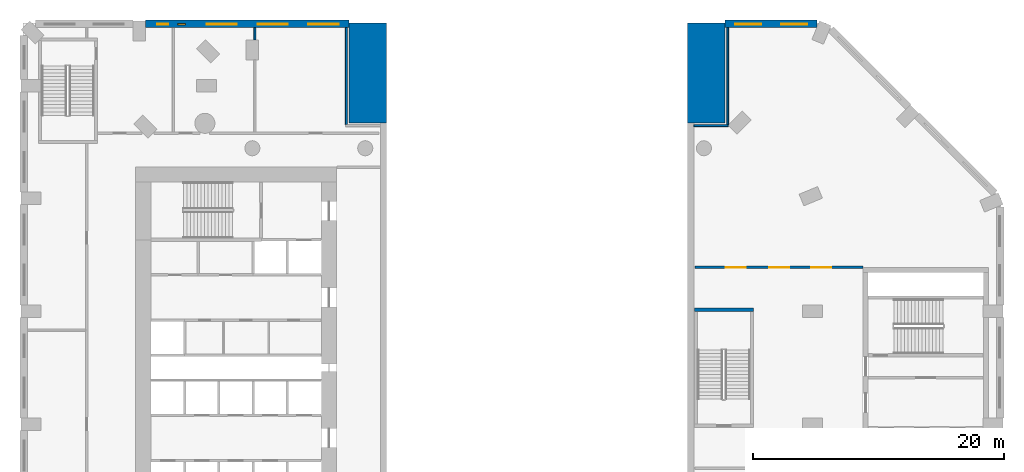
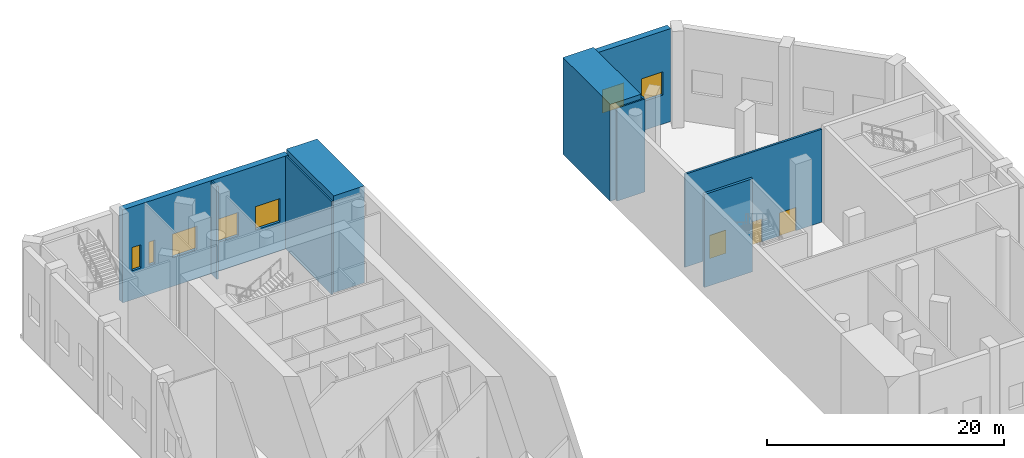
# One storey, part 7 of 17: 10 walls, 7 windows, 3 doors, 10 openings.
"""IFC4 building model written with IfcOpenShell, lengths in metres."""

import ifcopenshell
import ifcopenshell.guid

model = None  # the IFC model being written
_history = None  # IfcOwnerHistory: only IFC2X3 demands one
_inside = {}  # id of a spatial element -> (the spatial element, [elements in it])
_under = {}  # id of a project, library or spatial element -> (it, [spatial elements below it])
_declared = {}  # id of a project -> (the project, [libraries it declares])
_typed = {}  # id of a type object -> (the type object, [elements of that type])
_made_of = {}  # id of a material, layer set ... -> (it, [elements and type objects made of it])


def new_model(schema):
    """Start an empty IFC model of exactly this schema.

    Asked for "IFC4X3", IfcOpenShell would pick the latest addendum, in which some entities
    have other attributes; the version numbers below select the first issue.
    IFC2X3 requires an IfcOwnerHistory on every rooted entity: one is made here for all.
    """
    global model, _history
    if schema == "IFC4X3":
        model = ifcopenshell.file(schema_version=(4, 3, 0, 0))
    else:
        model = ifcopenshell.file(schema=schema)
    _inside.clear()
    _under.clear()
    _declared.clear()
    _typed.clear()
    _made_of.clear()
    _history = None
    if model.schema == "IFC2X3":
        org = make("IfcOrganization", Name="unknown")
        user = make(
            "IfcPersonAndOrganization",
            ThePerson=make("IfcPerson", FamilyName="unknown"),
            TheOrganization=org,
        )
        app = make(
            "IfcApplication",
            ApplicationDeveloper=org,
            Version="unknown",
            ApplicationFullName="unknown",
            ApplicationIdentifier="unknown",
        )
        _history = make(
            "IfcOwnerHistory",
            OwningUser=user,
            OwningApplication=app,
            ChangeAction="ADDED",
            CreationDate=0,
        )
    return model


def make(cls, **values):
    """One entity of the class cls with the attributes given. An attribute that is None is left unset."""
    return model.create_entity(
        cls, **{name: value for name, value in values.items() if value is not None}
    )


def rooted(cls, **values):
    """An entity with a GlobalId (a new one), such as an element, a storey or a relation."""
    return make(cls, GlobalId=ifcopenshell.guid.new(), OwnerHistory=_history, **values)


def si_unit(unit_type, name, prefix=None):
    """IfcSIUnit, for example si_unit("LENGTHUNIT", "METRE", prefix="MILLI")."""
    return make("IfcSIUnit", UnitType=unit_type, Prefix=prefix, Name=name)


def assignment(units):
    """IfcUnitAssignment: the units of a project."""
    return None if units is None else make("IfcUnitAssignment", Units=units)


def point(xyz):
    """IfcCartesianPoint."""
    return None if xyz is None else make("IfcCartesianPoint", Coordinates=xyz)


def direction(xyz):
    """IfcDirection."""
    return None if xyz is None else make("IfcDirection", DirectionRatios=xyz)


def frame(location, z_axis=None, x_axis=None):
    """IfcAxis2Placement3D, a coordinate frame: its origin and axes. An axis left out is left unset."""
    return make(
        "IfcAxis2Placement3D",
        Location=point(location),
        Axis=direction(z_axis),
        RefDirection=direction(x_axis),
    )


def frame_2d(location, x_axis=None):
    """IfcAxis2Placement2D, a coordinate frame in the plane: its origin and x axis."""
    return make(
        "IfcAxis2Placement2D", Location=point(location), RefDirection=direction(x_axis)
    )


def origin():
    """The frame at (0, 0, 0) with its axes left unset."""
    return frame((0.0, 0.0, 0.0))


def place(relative_to, where):
    """IfcLocalPlacement: puts the frame where relative to a parent placement (None: the world)."""
    return make(
        "IfcLocalPlacement", PlacementRelTo=relative_to, RelativePlacement=where
    )


def context(
    kind, dimensions, precision=None, world=None, true_north=None, identifier=None
):
    """IfcGeometricRepresentationContext, for example the 3D "Model" context."""
    return make(
        "IfcGeometricRepresentationContext",
        ContextIdentifier=identifier,
        ContextType=kind,
        CoordinateSpaceDimension=dimensions,
        Precision=precision,
        WorldCoordinateSystem=world,
        TrueNorth=true_north,
    )


def subcontext(parent, identifier, kind, view, scale=None):
    """IfcGeometricRepresentationSubContext, for example "Body" below "Model"."""
    return make(
        "IfcGeometricRepresentationSubContext",
        ContextIdentifier=identifier,
        ContextType=kind,
        ParentContext=parent,
        TargetScale=scale,
        TargetView=view,
    )


def project(units=None, contexts=None):
    """IfcProject with its units and contexts."""
    return rooted(
        "IfcProject",
        Name="project",
        RepresentationContexts=contexts,
        UnitsInContext=assignment(units),
    )


def spatial(cls, under=None, at=None, **own):
    """A site, building, storey or space (cls), placed at a placement, below another one or the project."""
    s = rooted(cls, ObjectPlacement=at, **own)
    if under is not None:
        _under.setdefault(under.id(), (under, []))[1].append(s)
    return s


def profile(cls, at=None, kind="AREA", **sizes):
    """A parametric profile (cls). Its sizes go by their IFC names, for example OverallWidth=200.0."""
    return make(cls, ProfileType=kind, Position=at, **sizes)


def rectangle(**sizes):
    """IfcRectangleProfileDef."""
    return profile("IfcRectangleProfileDef", **sizes)


def extrude(swept, where, along, depth):
    """IfcExtrudedAreaSolid: the profile swept, set in the frame where, extruded along a direction by depth."""
    return make(
        "IfcExtrudedAreaSolid",
        SweptArea=swept,
        Position=where,
        ExtrudedDirection=direction(along),
        Depth=depth,
    )


def shape(context_of_items, identifier, shape_type, items):
    """IfcShapeRepresentation: the items that make up one representation, for example the "Body"."""
    return make(
        "IfcShapeRepresentation",
        ContextOfItems=context_of_items,
        RepresentationIdentifier=identifier,
        RepresentationType=shape_type,
        Items=items,
    )


def material(Name=None, Category=None):
    """IfcMaterial."""
    return make("IfcMaterial", Name=Name, Category=Category)


def layer(
    of_material, thickness, ventilated=None, Name=None, Category=None, Priority=None
):
    """IfcMaterialLayer: one layer of a wall or slab, of a material (None: an air gap)."""
    return make(
        "IfcMaterialLayer",
        Material=of_material,
        LayerThickness=thickness,
        IsVentilated=ventilated,
        Name=Name,
        Category=Category,
        Priority=Priority,
    )


def layer_set(layers, Name=None):
    """IfcMaterialLayerSet."""
    return make("IfcMaterialLayerSet", MaterialLayers=layers, LayerSetName=Name)


def made_of(thing, what):
    """Note that an element or type object is made of a material, layer set ...; save() writes the relation."""
    if what is not None:
        _made_of.setdefault(what.id(), (what, []))[1].append(thing)
    return thing


def type_object(cls, material=None, **own):
    """A type object (cls), such as IfcWallType, which elements share."""
    return made_of(rooted(cls, **own), material)


def element(
    cls,
    number,
    at=None,
    inside=None,
    cuts=None,
    type_object=None,
    material=None,
    context=None,
    identifier="Body",
    shape_type=None,
    held_by="IfcProductDefinitionShape",
    body=None,
    shapes=None,
    **own,
):
    """One element of the class cls, such as IfcWall. Its Tag is "e" and its number.

    at: its placement. inside: the storey or other place that contains it. cuts: it is an
    opening in that element (IfcRelVoidsElement). A single representation is given by context,
    identifier, shape_type and body (its items); several are given by shapes. held_by: the class
    of the entity that holds the representations. save() writes the other relations.
    """
    e = rooted(cls, Tag="e%d" % number, ObjectPlacement=at, **own)
    if body is not None:
        shapes = [shape(context, identifier, shape_type, body)]
    if shapes is not None:
        e.Representation = make(held_by, Representations=shapes)
    if inside is not None:
        _inside.setdefault(inside.id(), (inside, []))[1].append(e)
    if cuts is not None:
        rooted(
            "IfcRelVoidsElement", RelatingBuildingElement=cuts, RelatedOpeningElement=e
        )
    if type_object is not None:
        _typed.setdefault(type_object.id(), (type_object, []))[1].append(e)
    return made_of(e, material)


def fill(opening, filler):
    """IfcRelFillsElement: the door or window that sits in an opening."""
    return rooted(
        "IfcRelFillsElement",
        RelatingOpeningElement=opening,
        RelatedBuildingElement=filler,
    )


def aggregate(whole, parts):
    """IfcRelAggregates: a whole, such as a stair, and the parts it consists of."""
    return rooted("IfcRelAggregates", RelatingObject=whole, RelatedObjects=parts)


def save(model, path):
    """Write the relations noted so far, then the file.

    IfcRelAggregates (storeys below a building ...), IfcRelContainedInSpatialStructure (elements
    in a storey), IfcRelDefinesByType, IfcRelAssociatesMaterial and IfcRelDeclares: one each for
    every whole, place, type object, material and project.
    """
    for whole, parts in _under.values():
        aggregate(whole, parts)
    for where, things in _inside.values():
        rooted(
            "IfcRelContainedInSpatialStructure",
            RelatedElements=things,
            RelatingStructure=where,
        )
    for kind, things in _typed.values():
        rooted("IfcRelDefinesByType", RelatedObjects=things, RelatingType=kind)
    for what, things in _made_of.values():
        rooted("IfcRelAssociatesMaterial", RelatedObjects=things, RelatingMaterial=what)
    for by, libraries in _declared.values():
        rooted("IfcRelDeclares", RelatingContext=by, RelatedDefinitions=libraries)
    model.write(path)


model = new_model("IFC4")

# Units and contexts
model_context = context("Model", 3, precision=1e-05, world=origin(), true_north=direction((0.0, 1.0)))
body_context = subcontext(model_context, "Body", "Model", "MODEL_VIEW")
ifc_project = project(units=[si_unit("LENGTHUNIT", "METRE"), si_unit("AREAUNIT", "SQUARE_METRE"), si_unit("VOLUMEUNIT", "CUBIC_METRE"), si_unit("PLANEANGLEUNIT", "RADIAN"), si_unit("MASSUNIT", "GRAM", prefix="KILO")], contexts=[model_context])

# Site, building, storey
site_placement = place(None, origin())
site = spatial("IfcSite", under=ifc_project, at=site_placement, CompositionType="ELEMENT")
building_placement = place(site_placement, origin())
building = spatial("IfcBuilding", under=site, at=building_placement, Name="Cypress Arch Tower", CompositionType="ELEMENT")
storey_placement = place(building_placement, frame((0.0, 0.0, 19.0)))
storey = spatial("IfcBuildingStorey", under=building, at=storey_placement, Name="L02", CompositionType="ELEMENT", Elevation=19.0)

# Wall, openings, windows
ifc_material_1 = material(Name="Brick (red buff blend) on blockwork backing", Category="masonry")
ifc_layer_1 = layer(ifc_material_1, 0.60009765625)
ifc_layer_set_1 = layer_set([ifc_layer_1], Name="Brick base wall BW600")
wall_type_1 = type_object("IfcWallType", Name="Brick base wall BW600", PredefinedType="ELEMENTEDWALL", material=ifc_layer_set_1)
wall_1_placement = place(storey_placement, frame((24.33447265625, 27.425048828125, 0.0), z_axis=(0.0, 0.0, 1.0), x_axis=(-1.0, 0.0, 0.0)))
wall_1 = element("IfcWall", 1, at=wall_1_placement, inside=storey, type_object=wall_type_1, Name="Brick wall L02 P03.0", PredefinedType="ELEMENTEDWALL", context=body_context, shape_type="SweptSolid", body=[
    extrude(rectangle(XDim=7.33447265625, YDim=0.60009765625, at=frame_2d((3.667236328125, 0.0))), origin(), (0.0, 0.0, 1.0), 9.60009765625),
])
opening_1_placement = place(wall_1_placement, frame((0.78369140625, 0.0, 3.0)))
opening_1 = element("IfcOpeningElement", 2, at=opening_1_placement, cuts=wall_1, Name="Opening W210P", PredefinedType="OPENING", context=body_context, shape_type="SweptSolid", body=[
    extrude(rectangle(XDim=2.10009765625, YDim=2.39990234375, at=frame_2d((1.050048828125, 1.199951171875))), frame((0.0, 0.31005859375, 0.0), z_axis=(0.0, -1.0, 0.0), x_axis=(1.0, 0.0, 0.0)), (0.0, 0.0, 1.0), 0.6201171875),
])
opening_2_placement = place(wall_1_placement, frame((4.450927734375, 0.0, 3.0)))
opening_2 = element("IfcOpeningElement", 3, at=opening_2_placement, cuts=wall_1, Name="Opening W210P", PredefinedType="OPENING", context=body_context, shape_type="SweptSolid", body=[
    extrude(rectangle(XDim=2.10009765625, YDim=2.39990234375, at=frame_2d((1.050048828125, 1.199951171875))), frame((0.0, 0.31005859375, 0.0), z_axis=(0.0, -1.0, 0.0), x_axis=(1.0, 0.0, 0.0)), (0.0, 0.0, 1.0), 0.6201171875),
])
ifc_material_2 = material(Name="Anodised aluminium, bronze finish, clear low-emissivity double glazing", Category="aluminium")
window_type_1 = type_object("IfcWindowType", Name="Window Podium 2100x2400", PartitioningType="SINGLE_PANEL", PredefinedType="WINDOW", material=ifc_material_2)
window_1_placement = place(opening_1_placement, origin())
window_1 = element("IfcWindow", 4, at=window_1_placement, inside=storey, type_object=window_type_1, Name="Window L02 P03.0.1", OverallHeight=2.39990234375, OverallWidth=2.10009765625, PartitioningType="SINGLE_PANEL", PredefinedType="WINDOW", context=body_context, shape_type="SweptSolid", body=[
    extrude(rectangle(XDim=2.10009765625, YDim=2.39990234375, at=frame_2d((1.050048828125, 1.199951171875))), frame((0.0, 0.06005859375, 0.0), z_axis=(0.0, -1.0, 0.0), x_axis=(1.0, 0.0, 0.0)), (0.0, 0.0, 1.0), 0.06005859375),
])
fill(opening_1, window_1)
window_2_placement = place(opening_2_placement, origin())
window_2 = element("IfcWindow", 5, at=window_2_placement, inside=storey, type_object=window_type_1, Name="Window L02 P03.0.2", OverallHeight=2.39990234375, OverallWidth=2.10009765625, PartitioningType="SINGLE_PANEL", PredefinedType="WINDOW", context=body_context, shape_type="SweptSolid", body=[
    extrude(rectangle(XDim=2.10009765625, YDim=2.39990234375, at=frame_2d((1.050048828125, 1.199951171875))), frame((0.0, 0.06005859375, 0.0), z_axis=(0.0, -1.0, 0.0), x_axis=(1.0, 0.0, 0.0)), (0.0, 0.0, 1.0), 0.06005859375),
])
fill(opening_2, window_2)

wall_2_placement = place(storey_placement, frame((-13.0, 27.425048828125, 0.0), z_axis=(0.0, 0.0, 1.0), x_axis=(-1.0, 0.0, 0.0)))
wall_2 = element("IfcWall", 6, at=wall_2_placement, inside=storey, type_object=wall_type_1, Name="Brick wall L02 P03.0p1", PredefinedType="ELEMENTEDWALL", context=body_context, shape_type="SweptSolid", body=[
    extrude(rectangle(XDim=16.199951171875, YDim=0.60009765625, at=frame_2d((8.10009765625, 0.0))), origin(), (0.0, 0.0, 1.0), 9.60009765625),
])
opening_3_placement = place(wall_2_placement, frame((0.824951171875, 0.0, 3.0)))
opening_3 = element("IfcOpeningElement", 7, at=opening_3_placement, cuts=wall_2, Name="Opening W240P", PredefinedType="OPENING", context=body_context, shape_type="SweptSolid", body=[
    extrude(rectangle(XDim=2.39990234375, YDim=2.39990234375, at=frame_2d((1.199951171875, 1.199951171875))), frame((0.0, 0.31005859375, 0.0), z_axis=(0.0, -1.0, 0.0), x_axis=(1.0, 0.0, 0.0)), (0.0, 0.0, 1.0), 0.6201171875),
])
opening_4_placement = place(wall_2_placement, frame((4.875, 0.0, 3.0)))
opening_4 = element("IfcOpeningElement", 8, at=opening_4_placement, cuts=wall_2, Name="Opening W240P", PredefinedType="OPENING", context=body_context, shape_type="SweptSolid", body=[
    extrude(rectangle(XDim=2.39990234375, YDim=2.39990234375, at=frame_2d((1.199951171875, 1.199951171875))), frame((0.0, 0.31005859375, 0.0), z_axis=(0.0, -1.0, 0.0), x_axis=(1.0, 0.0, 0.0)), (0.0, 0.0, 1.0), 0.6201171875),
])
opening_5_placement = place(wall_2_placement, frame((8.925048828125, 0.0, 3.0)))
opening_5 = element("IfcOpeningElement", 9, at=opening_5_placement, cuts=wall_2, Name="Opening W240P", PredefinedType="OPENING", context=body_context, shape_type="SweptSolid", body=[
    extrude(rectangle(XDim=2.39990234375, YDim=2.39990234375, at=frame_2d((1.199951171875, 1.199951171875))), frame((0.0, 0.31005859375, 0.0), z_axis=(0.0, -1.0, 0.0), x_axis=(1.0, 0.0, 0.0)), (0.0, 0.0, 1.0), 0.6201171875),
])
opening_6_placement = place(wall_2_placement, frame((13.03759765625, 0.0, 3.0)))
opening_6 = element("IfcOpeningElement", 10, at=opening_6_placement, cuts=wall_2, Name="Opening W060P", PredefinedType="OPENING", context=body_context, shape_type="SweptSolid", body=[
    extrude(rectangle(XDim=0.60009765625, YDim=2.39990234375, at=frame_2d((0.300048828125, 1.199951171875))), frame((0.0, 0.31005859375, 0.0), z_axis=(0.0, -1.0, 0.0), x_axis=(1.0, 0.0, 0.0)), (0.0, 0.0, 1.0), 0.6201171875),
])
opening_7_placement = place(wall_2_placement, frame((14.387451171875, 0.0, 3.0)))
opening_7 = element("IfcOpeningElement", 11, at=opening_7_placement, cuts=wall_2, Name="Opening W090P", PredefinedType="OPENING", context=body_context, shape_type="SweptSolid", body=[
    extrude(rectangle(XDim=0.89990234375, YDim=2.39990234375, at=frame_2d((0.449951171875, 1.199951171875))), frame((0.0, 0.31005859375, 0.0), z_axis=(0.0, -1.0, 0.0), x_axis=(1.0, 0.0, 0.0)), (0.0, 0.0, 1.0), 0.6201171875),
])
ifc_material_3 = material(Name="Anodised aluminium, bronze finish, clear low-emissivity double glazing", Category="aluminium")
window_type_2 = type_object("IfcWindowType", Name="Window Podium 2400x2400", PartitioningType="SINGLE_PANEL", PredefinedType="WINDOW", material=ifc_material_3)
window_3_placement = place(opening_3_placement, origin())
window_3 = element("IfcWindow", 12, at=window_3_placement, inside=storey, type_object=window_type_2, Name="Window L02 P03.0p1.1", OverallHeight=2.39990234375, OverallWidth=2.39990234375, PartitioningType="SINGLE_PANEL", PredefinedType="WINDOW", context=body_context, shape_type="SweptSolid", body=[
    extrude(rectangle(XDim=2.39990234375, YDim=2.39990234375, at=frame_2d((1.199951171875, 1.199951171875))), frame((0.0, 0.06005859375, 0.0), z_axis=(0.0, -1.0, 0.0), x_axis=(1.0, 0.0, 0.0)), (0.0, 0.0, 1.0), 0.06005859375),
])
fill(opening_3, window_3)
window_4_placement = place(opening_4_placement, origin())
window_4 = element("IfcWindow", 13, at=window_4_placement, inside=storey, type_object=window_type_2, Name="Window L02 P03.0p1.2", OverallHeight=2.39990234375, OverallWidth=2.39990234375, PartitioningType="SINGLE_PANEL", PredefinedType="WINDOW", context=body_context, shape_type="SweptSolid", body=[
    extrude(rectangle(XDim=2.39990234375, YDim=2.39990234375, at=frame_2d((1.199951171875, 1.199951171875))), frame((0.0, 0.06005859375, 0.0), z_axis=(0.0, -1.0, 0.0), x_axis=(1.0, 0.0, 0.0)), (0.0, 0.0, 1.0), 0.06005859375),
])
fill(opening_4, window_4)
window_5_placement = place(opening_5_placement, origin())
window_5 = element("IfcWindow", 14, at=window_5_placement, inside=storey, type_object=window_type_2, Name="Window L02 P03.0p1.3", OverallHeight=2.39990234375, OverallWidth=2.39990234375, PartitioningType="SINGLE_PANEL", PredefinedType="WINDOW", context=body_context, shape_type="SweptSolid", body=[
    extrude(rectangle(XDim=2.39990234375, YDim=2.39990234375, at=frame_2d((1.199951171875, 1.199951171875))), frame((0.0, 0.06005859375, 0.0), z_axis=(0.0, -1.0, 0.0), x_axis=(1.0, 0.0, 0.0)), (0.0, 0.0, 1.0), 0.06005859375),
])
fill(opening_5, window_5)
ifc_material_4 = material(Name="Anodised aluminium, bronze finish, clear low-emissivity double glazing", Category="aluminium")
window_type_3 = type_object("IfcWindowType", Name="Window Podium 600x2400", PartitioningType="SINGLE_PANEL", PredefinedType="WINDOW", material=ifc_material_4)
window_6_placement = place(opening_6_placement, origin())
window_6 = element("IfcWindow", 15, at=window_6_placement, inside=storey, type_object=window_type_3, Name="Window L02 P03.0p1.4", OverallHeight=2.39990234375, OverallWidth=0.60009765625, PartitioningType="SINGLE_PANEL", PredefinedType="WINDOW", context=body_context, shape_type="SweptSolid", body=[
    extrude(rectangle(XDim=0.60009765625, YDim=2.39990234375, at=frame_2d((0.300048828125, 1.199951171875))), frame((0.0, 0.06005859375, 0.0), z_axis=(0.0, -1.0, 0.0), x_axis=(1.0, 0.0, 0.0)), (0.0, 0.0, 1.0), 0.06005859375),
])
fill(opening_6, window_6)
ifc_material_5 = material(Name="Anodised aluminium, bronze finish, clear low-emissivity double glazing", Category="aluminium")
window_type_4 = type_object("IfcWindowType", Name="Window Podium 900x2400", PartitioningType="SINGLE_PANEL", PredefinedType="WINDOW", material=ifc_material_5)
window_7_placement = place(opening_7_placement, origin())
window_7 = element("IfcWindow", 16, at=window_7_placement, inside=storey, type_object=window_type_4, Name="Window L02 P03.0p1.4b", OverallHeight=2.39990234375, OverallWidth=0.89990234375, PartitioningType="SINGLE_PANEL", PredefinedType="WINDOW", context=body_context, shape_type="SweptSolid", body=[
    extrude(rectangle(XDim=0.89990234375, YDim=2.39990234375, at=frame_2d((0.449951171875, 1.199951171875))), frame((0.0, 0.06005859375, 0.0), z_axis=(0.0, -1.0, 0.0), x_axis=(1.0, 0.0, 0.0)), (0.0, 0.0, 1.0), 0.06005859375),
])
fill(opening_7, window_7)

# Wall, openings, doors
ifc_material_6 = material(Name="Concrete blockwork, plastered, rated", Category="masonry")
ifc_layer_2 = layer(ifc_material_6, 0.199951171875)
ifc_layer_set_2 = layer_set([ifc_layer_2], Name="Corridor wall FW200")
wall_type_2 = type_object("IfcWallType", Name="Corridor wall FW200", PredefinedType="PARTITIONING", material=ifc_layer_set_2)
wall_3_placement = place(storey_placement, frame((14.60009765625, 8.0, 0.0), z_axis=(0.0, 0.0, 1.0), x_axis=(1.0, 0.0, 0.0)))
wall_3 = element("IfcWall", 17, at=wall_3_placement, inside=storey, type_object=wall_type_2, Name="Corridor wall", PredefinedType="PARTITIONING", context=body_context, shape_type="SweptSolid", body=[
    extrude(rectangle(XDim=13.369873046875, YDim=0.199951171875, at=frame_2d((6.68505859375, 0.0))), origin(), (0.0, 0.0, 1.0), 9.597900390625),
])
opening_8_placement = place(wall_3_placement, frame((5.89990234375, 0.0, 0.0)))
opening_8 = element("IfcOpeningElement", 18, at=opening_8_placement, cuts=wall_3, Name="Opening D10", PredefinedType="OPENING", context=body_context, shape_type="SweptSolid", body=[
    extrude(rectangle(XDim=1.60009765625, YDim=2.39990234375, at=frame_2d((0.800048828125, 1.199951171875))), frame((0.0, 0.10986328125, 0.0), z_axis=(0.0, -1.0, 0.0), x_axis=(1.0, 0.0, 0.0)), (0.0, 0.0, 1.0), 0.219970703125),
])
opening_9_placement = place(wall_3_placement, frame((2.449951171875, 0.0, 0.0)))
opening_9 = element("IfcOpeningElement", 19, at=opening_9_placement, cuts=wall_3, Name="Opening D10", PredefinedType="OPENING", context=body_context, shape_type="SweptSolid", body=[
    extrude(rectangle(XDim=1.60009765625, YDim=2.39990234375, at=frame_2d((0.800048828125, 1.199951171875))), frame((0.0, 0.10986328125, 0.0), z_axis=(0.0, -1.0, 0.0), x_axis=(1.0, 0.0, 0.0)), (0.0, 0.0, 1.0), 0.219970703125),
])
opening_10_placement = place(wall_3_placement, frame((9.25, 0.0, 0.0)))
opening_10 = element("IfcOpeningElement", 20, at=opening_10_placement, cuts=wall_3, Name="Opening D10", PredefinedType="OPENING", context=body_context, shape_type="SweptSolid", body=[
    extrude(rectangle(XDim=1.60009765625, YDim=2.39990234375, at=frame_2d((0.800048828125, 1.199951171875))), frame((0.0, 0.10986328125, 0.0), z_axis=(0.0, -1.0, 0.0), x_axis=(1.0, 0.0, 0.0)), (0.0, 0.0, 1.0), 0.219970703125),
])
ifc_material_7 = material(Name="Black aluminium glazed door", Category="aluminium")
door_type = type_object("IfcDoorType", Name="Amenity door D10 1600x2400", OperationType="DOUBLE_DOOR_SINGLE_SWING", PredefinedType="DOOR", material=ifc_material_7)
door_1_placement = place(opening_8_placement, origin())
door_1 = element("IfcDoor", 21, at=door_1_placement, inside=storey, type_object=door_type, Name="Amenity door", OperationType="DOUBLE_DOOR_SINGLE_SWING", OverallHeight=2.39990234375, OverallWidth=1.60009765625, PredefinedType="DOOR", context=body_context, shape_type="SweptSolid", body=[
    extrude(rectangle(XDim=1.60009765625, YDim=2.39990234375, at=frame_2d((0.800048828125, 1.199951171875))), frame((0.0, 0.02490234375, 0.0), z_axis=(0.0, -1.0, 0.0), x_axis=(1.0, 0.0, 0.0)), (0.0, 0.0, 1.0), 0.050048828125),
])
fill(opening_8, door_1)
door_2_placement = place(opening_9_placement, origin())
door_2 = element("IfcDoor", 22, at=door_2_placement, inside=storey, type_object=door_type, Name="Amenity door", OperationType="DOUBLE_DOOR_SINGLE_SWING", OverallHeight=2.39990234375, OverallWidth=1.60009765625, PredefinedType="DOOR", context=body_context, shape_type="SweptSolid", body=[
    extrude(rectangle(XDim=1.60009765625, YDim=2.39990234375, at=frame_2d((0.800048828125, 1.199951171875))), frame((0.0, 0.02490234375, 0.0), z_axis=(0.0, -1.0, 0.0), x_axis=(1.0, 0.0, 0.0)), (0.0, 0.0, 1.0), 0.050048828125),
])
fill(opening_9, door_2)
door_3_placement = place(opening_10_placement, origin())
door_3 = element("IfcDoor", 23, at=door_3_placement, inside=storey, type_object=door_type, Name="Amenity door", OperationType="DOUBLE_DOOR_SINGLE_SWING", OverallHeight=2.39990234375, OverallWidth=1.60009765625, PredefinedType="DOOR", context=body_context, shape_type="SweptSolid", body=[
    extrude(rectangle(XDim=1.60009765625, YDim=2.39990234375, at=frame_2d((0.800048828125, 1.199951171875))), frame((0.0, 0.02490234375, 0.0), z_axis=(0.0, -1.0, 0.0), x_axis=(1.0, 0.0, 0.0)), (0.0, 0.0, 1.0), 0.050048828125),
])
fill(opening_10, door_3)

# Walls
ifc_material_8 = material(Name="Blockwork, plastered both sides", Category="masonry")
ifc_layer_3 = layer(ifc_material_8, 0.14990234375)
ifc_layer_set_3 = layer_set([ifc_layer_3], Name="Partition PW150")
wall_type_3 = type_object("IfcWallType", Name="Partition PW150", PredefinedType="PARTITIONING", material=ifc_layer_set_3)
wall_4_placement = place(storey_placement, frame((-20.5, 26.14990234375, 0.0), z_axis=(0.0, 0.0, 1.0), x_axis=(0.0, 1.0, 0.0)))
element("IfcWall", 24, at=wall_4_placement, inside=storey, type_object=wall_type_3, Name="Partition", PredefinedType="PARTITIONING", context=body_context, shape_type="SweptSolid", body=[
    extrude(rectangle(XDim=0.97509765625, YDim=0.14990234375, at=frame_2d((0.487548828125, 0.0))), origin(), (0.0, 0.0, 1.0), 9.597900390625),
])
wall_5_placement = place(storey_placement, frame((-13.199951171875, 19.3759765625, 0.0), z_axis=(0.0, 0.0, 1.0), x_axis=(0.0, 1.0, 0.0)))
element("IfcWall", 25, at=wall_5_placement, inside=storey, type_object=wall_type_3, Name="Partition", PredefinedType="PARTITIONING", context=body_context, shape_type="SweptSolid", body=[
    extrude(rectangle(XDim=7.7490234375, YDim=0.14990234375, at=frame_2d((3.87451171875, 0.0))), origin(), (0.0, 0.0, 1.0), 9.597900390625),
])
wall_6_placement = place(storey_placement, frame((14.5, 19.300048828125, 0.0), z_axis=(0.0, 0.0, 1.0), x_axis=(1.0, 0.0, 0.0)))
element("IfcWall", 26, at=wall_6_placement, inside=storey, type_object=wall_type_3, Name="Partition", PredefinedType="PARTITIONING", context=body_context, shape_type="SweptSolid", body=[
    extrude(rectangle(XDim=2.7294921875, YDim=0.14990234375, at=frame_2d((1.36474609375, 0.0))), origin(), (0.0, 0.0, 1.0), 9.597900390625),
])
wall_7_placement = place(storey_placement, frame((17.199951171875, 19.3759765625, 0.0), z_axis=(0.0, 0.0, 1.0), x_axis=(0.0, 1.0, 0.0)))
element("IfcWall", 27, at=wall_7_placement, inside=storey, type_object=wall_type_3, Name="Partition", PredefinedType="PARTITIONING", context=body_context, shape_type="SweptSolid", body=[
    extrude(rectangle(XDim=7.7490234375, YDim=0.14990234375, at=frame_2d((3.87451171875, 0.0))), origin(), (0.0, 0.0, 1.0), 9.597900390625),
])
ifc_material_9 = material(Name="Concrete C80/95", Category="concrete")
ifc_layer_4 = layer(ifc_material_9, 3.0)
ifc_layer_set_4 = layer_set([ifc_layer_4], Name="Pier wall 3000 Concrete C80/95")
wall_type_4 = type_object("IfcWallType", Name="Pier wall 3000 Concrete C80/95", PredefinedType="SOLIDWALL", material=ifc_layer_set_4)
for number, where, z_axis, x_axis, name in (
    (28, (-11.5, 19.5, 0.0), (0.0, 0.0, 1.0), (0.0, 1.0, 0.0), "Gate pier wall PW-WN L02"),
    (29, (15.5, 19.5, 0.0), (0.0, 0.0, 1.0), (0.0, 1.0, 0.0), "Gate pier wall PW-EN L02"),
):
    element("IfcWall", number, at=place(storey_placement, frame(where, z_axis=z_axis, x_axis=x_axis)), inside=storey, type_object=wall_type_4, Name=name, PredefinedType="SOLIDWALL", context=body_context, shape_type="SweptSolid", body=[
        extrude(rectangle(XDim=8.0, YDim=3.0, at=frame_2d((4.0, 0.0))), origin(), (0.0, 0.0, 1.0), 10.0),
    ])
ifc_material_10 = material(Name="Concrete C50/60", Category="concrete")
ifc_layer_5 = layer(ifc_material_10, 0.25)
ifc_layer_set_5 = layer_set([ifc_layer_5], Name="Stair enclosure wall SW250")
wall_type_5 = type_object("IfcWallType", Name="Stair enclosure wall SW250", PredefinedType="SHEAR", material=ifc_layer_set_5)
wall_8_placement = place(storey_placement, frame((14.550048828125, 4.625, 0.0), z_axis=(0.0, 0.0, 1.0), x_axis=(1.0, 0.0, 0.0)))
element("IfcWall", 30, at=wall_8_placement, inside=storey, type_object=wall_type_5, Name="Stair enclosure wall", PredefinedType="SHEAR", context=body_context, shape_type="SweptSolid", body=[
    extrude(rectangle(XDim=4.699951171875, YDim=0.25, at=frame_2d((2.35009765625, 0.0))), origin(), (0.0, 0.0, 1.0), 9.60009765625),
])

save(model, "model.ifc")
